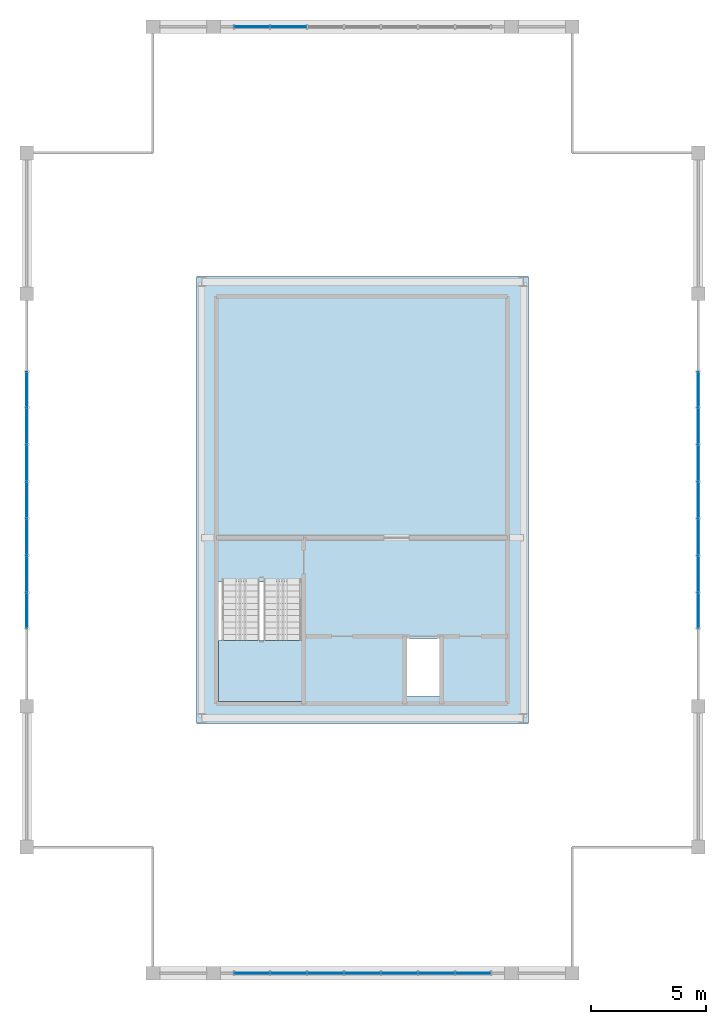
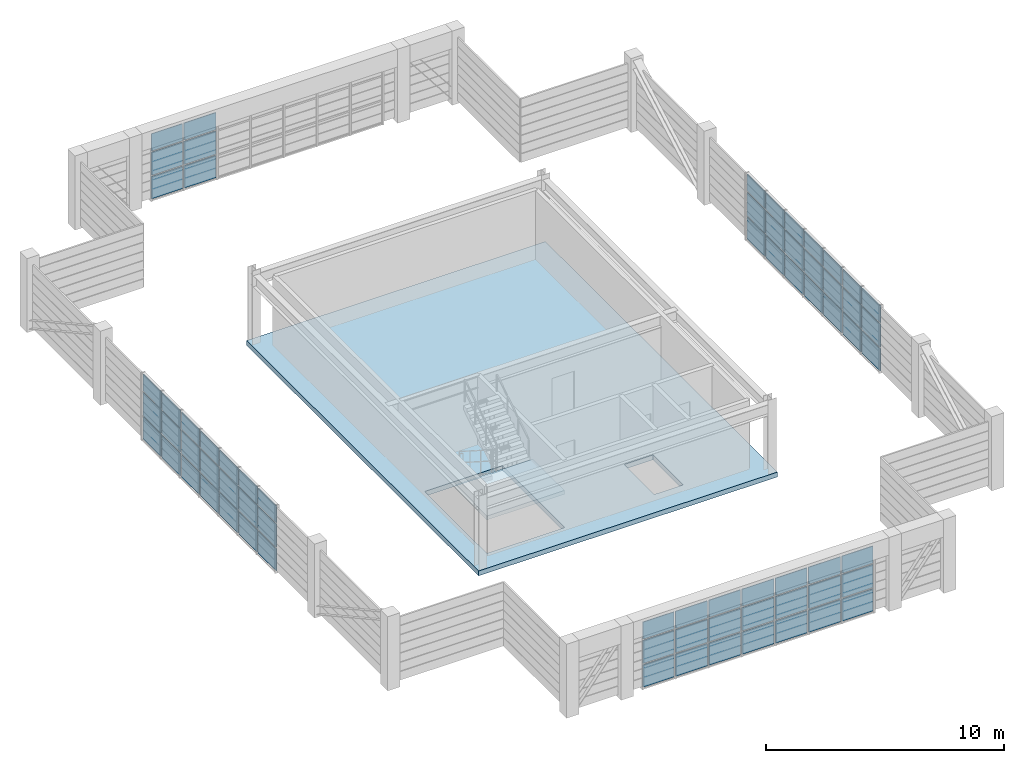
# One storey, part 16 of 21: 69 plates, 2 slabs, 5 elements without a shape of their own.
"""IFC4 building model written with IfcOpenShell, lengths in metres."""

from ifc_helpers import new_model, si_unit, direction, frame, origin, origin_2d, place, context, subcontext, project, spatial, polyline, rectangle, outline, extrude, source, transform, mapped, material, layer, layer_set, type_object, element, aggregate, save


model = new_model("IFC4")

# Units and contexts
model_context = context("Model", 3, precision=1e-05, world=origin(), true_north=direction((0.0, 1.0)))
body_context = subcontext(model_context, "Body", "Model", "MODEL_VIEW")
ifc_project = project(units=[si_unit("LENGTHUNIT", "METRE"), si_unit("AREAUNIT", "SQUARE_METRE"), si_unit("VOLUMEUNIT", "CUBIC_METRE"), si_unit("PLANEANGLEUNIT", "RADIAN"), si_unit("MASSUNIT", "GRAM", prefix="KILO")], contexts=[model_context])

# Site, building, storey
site_placement = place(None, origin())
site = spatial("IfcSite", under=ifc_project, at=site_placement, CompositionType="ELEMENT")
building_placement = place(site_placement, origin())
building = spatial("IfcBuilding", under=site, at=building_placement, Name="Saelheon Loggia Tower", CompositionType="ELEMENT")
storey_placement = place(building_placement, frame((0.0, 0.0, 259.800048828125)))
storey = spatial("IfcBuildingStorey", under=building, at=storey_placement, Name="CR3", CompositionType="ELEMENT", Elevation=259.800048828125)

# Slab
ifc_material_1 = material(Name="Concrete C45/55", Category="concrete")
ifc_layer_1 = layer(ifc_material_1, 0.25)
ifc_layer_set_1 = layer_set([ifc_layer_1], Name="Concrete C45/55")
slab_type_1 = type_object("IfcSlabType", Name="Slab_CrownDeck_250", PredefinedType="FLOOR", material=ifc_layer_set_1)
slab_1_placement = place(storey_placement, frame((0.0, 0.0, -0.25)))
element("IfcSlab", 1, at=slab_1_placement, inside=storey, type_object=slab_type_1, Name="CR3 Crown Mechanical Plant Platform", PredefinedType="FLOOR", context=body_context, shape_type="SweptSolid", body=[
    extrude(outline(polyline([(30.75, 17.25), (45.25, 17.25), (45.25, 36.75), (30.75, 36.75), (30.75, 17.25)]), holes=[polyline([(31.699951171875, 23.429931640625), (31.699951171875, 18.199951171875), (35.47998046875, 18.199951171875), (35.47998046875, 23.429931640625), (31.699951171875, 23.429931640625)]), polyline([(39.949951171875, 18.419921875), (41.35009765625, 18.419921875), (41.35009765625, 20.949951171875), (39.949951171875, 20.949951171875), (39.949951171875, 18.419921875)])]), origin(), (0.0, 0.0, 1.0), 0.25),
])

# Stair, slab
ifc_material_2 = material(Name="Concrete C40/50", Category="concrete")
stair_type = type_object("IfcStairType", Name="Stair_Plant_Crown", PredefinedType="HALF_TURN_STAIR", material=ifc_material_2)
stair_placement = place(storey_placement, origin())
stair = element("IfcStair", 2, at=stair_placement, inside=storey, type_object=stair_type, Name="CR3 Crown Plant Stair ST5", PredefinedType="HALF_TURN_STAIR")
ifc_layer_2 = layer(ifc_material_2, 0.199951171875)
ifc_layer_set_2 = layer_set([ifc_layer_2], Name="Concrete C40/50")
slab_type_2 = type_object("IfcSlabType", Name="Slab_StairLanding_ST5", PredefinedType="LANDING", material=ifc_layer_set_2)
slab_2_placement = place(storey_placement, frame((0.0, 0.0, 1.699951171875)))
slab_2 = element("IfcSlab", 3, at=slab_2_placement, type_object=slab_type_2, Name="ST5 landing 1", PredefinedType="LANDING", context=body_context, shape_type="SweptSolid", body=[
    extrude(outline(polyline([(31.7099609375, 20.8701171875), (31.7099609375, 18.2099609375), (35.469970703125, 18.2099609375), (35.469970703125, 20.8701171875), (31.7099609375, 20.8701171875)])), origin(), (0.0, 0.0, 1.0), 0.199951171875),
])
aggregate(stair, [slab_2])

# Curtain wall, plates
ifc_material_3 = material(Name="Bronze-Anodised Aluminium and Fritted Ceramic Screen", Category="aluminium")
ifc_layer_3 = layer(ifc_material_3, 0.219970703125)
ifc_layer_set_3 = layer_set([ifc_layer_3], Name="Bronze-Anodised Aluminium and Fritted Ceramic Screen")
curtain_wall_type = type_object("IfcCurtainWallType", Name="CW_CrownScreen", PredefinedType="NOTDEFINED", material=ifc_layer_set_3)
curtain_wall_1_placement = place(storey_placement, origin())
curtain_wall_1 = element("IfcCurtainWall", 4, at=curtain_wall_1_placement, inside=storey, type_object=curtain_wall_type, Name="CR3 Crown Central Screen Curtain Wall 0", PredefinedType="NOTDEFINED")
ifc_material_4 = material(Name="Bronze Ceramic Fritted Spandrel Panel", Category="aluminium")
ifc_layer_4 = layer(ifc_material_4, 0.0380859375)
ifc_layer_set_4 = layer_set([ifc_layer_4], Name="Bronze Ceramic Fritted Spandrel Panel")
plate_type = type_object("IfcPlateType", Name="CW_CrownScreen_Panel", PredefinedType="CURTAIN_PANEL", material=ifc_layer_set_4)
shared_shape_1 = source(origin(), body_context, "Body", "SweptSolid", [
    extrude(rectangle(XDim=1.50927734375, YDim=0.0380859375, at=origin_2d()), origin(), (0.0, 0.0, 1.0), 1.14501953125),
])
plate_1_placement = place(storey_placement, frame((33.174560546875, 6.35009765625, 0.06982421875), z_axis=(0.0, 0.0, 1.0), x_axis=(1.0, 0.0, 0.0)))
plate_1 = element("IfcPlate", 5, at=plate_1_placement, type_object=plate_type, Name="CW6 panel 1.1", PredefinedType="CURTAIN_PANEL", context=body_context, shape_type="MappedRepresentation", body=[
    mapped(shared_shape_1, transform((0.0, 0.0, 0.0), scale=1.0)),
])
plate_2_placement = place(storey_placement, frame((42.825439453125, 6.35009765625, 0.06982421875), z_axis=(0.0, 0.0, 1.0), x_axis=(1.0, 0.0, 0.0)))
plate_2 = element("IfcPlate", 6, at=plate_2_placement, type_object=plate_type, Name="CW6 panel 7.1", PredefinedType="CURTAIN_PANEL", context=body_context, shape_type="MappedRepresentation", body=[
    mapped(shared_shape_1, transform((0.0, 0.0, 0.0), scale=1.0)),
])

curtain_wall_2_placement = place(storey_placement, origin())
curtain_wall_2 = element("IfcCurtainWall", 7, at=curtain_wall_2_placement, inside=storey, type_object=curtain_wall_type, Name="CR3 Crown Central Screen Curtain Wall 3", PredefinedType="NOTDEFINED")
plate_3_placement = place(storey_placement, frame((52.64990234375, 22.174560546875, 0.06982421875), z_axis=(0.0, 0.0, 1.0), x_axis=(0.0, 1.0, 0.0)))
plate_3 = element("IfcPlate", 8, at=plate_3_placement, type_object=plate_type, Name="CW6 panel 1.1", PredefinedType="CURTAIN_PANEL", context=body_context, shape_type="MappedRepresentation", body=[
    mapped(shared_shape_1, transform((0.0, 0.0, 0.0), scale=1.0)),
])
plate_4_placement = place(storey_placement, frame((52.64990234375, 31.825439453125, 0.06982421875), z_axis=(0.0, 0.0, 1.0), x_axis=(0.0, 1.0, 0.0)))
plate_4 = element("IfcPlate", 9, at=plate_4_placement, type_object=plate_type, Name="CW6 panel 7.1", PredefinedType="CURTAIN_PANEL", context=body_context, shape_type="MappedRepresentation", body=[
    mapped(shared_shape_1, transform((0.0, 0.0, 0.0), scale=1.0)),
])

# Curtain wall, plate
curtain_wall_3_placement = place(storey_placement, origin())
curtain_wall_3 = element("IfcCurtainWall", 10, at=curtain_wall_3_placement, inside=storey, type_object=curtain_wall_type, Name="CR3 Crown Central Screen Curtain Wall 6", PredefinedType="NOTDEFINED")
plate_5_placement = place(storey_placement, frame((33.174560546875, 47.64990234375, 0.06982421875), z_axis=(0.0, 0.0, 1.0), x_axis=(1.0, 0.0, 0.0)))
plate_5 = element("IfcPlate", 11, at=plate_5_placement, type_object=plate_type, Name="CW6 panel 1.1", PredefinedType="CURTAIN_PANEL", context=body_context, shape_type="MappedRepresentation", body=[
    mapped(shared_shape_1, transform((0.0, 0.0, 0.0), scale=1.0)),
])

# Curtain wall, plates
curtain_wall_4_placement = place(storey_placement, origin())
curtain_wall_4 = element("IfcCurtainWall", 12, at=curtain_wall_4_placement, inside=storey, type_object=curtain_wall_type, Name="CR3 Crown Central Screen Curtain Wall 9", PredefinedType="NOTDEFINED")
plate_6_placement = place(storey_placement, frame((23.35009765625, 22.174560546875, 0.06982421875), z_axis=(0.0, 0.0, 1.0), x_axis=(0.0, 1.0, 0.0)))
plate_6 = element("IfcPlate", 13, at=plate_6_placement, type_object=plate_type, Name="CW6 panel 1.1", PredefinedType="CURTAIN_PANEL", context=body_context, shape_type="MappedRepresentation", body=[
    mapped(shared_shape_1, transform((0.0, 0.0, 0.0), scale=1.0)),
])
plate_7_placement = place(storey_placement, frame((23.35009765625, 31.825439453125, 0.06982421875), z_axis=(0.0, 0.0, 1.0), x_axis=(0.0, 1.0, 0.0)))
plate_7 = element("IfcPlate", 14, at=plate_7_placement, type_object=plate_type, Name="CW6 panel 7.1", PredefinedType="CURTAIN_PANEL", context=body_context, shape_type="MappedRepresentation", body=[
    mapped(shared_shape_1, transform((0.0, 0.0, 0.0), scale=1.0)),
])

# Plate
shared_shape_2 = source(origin(), body_context, "Body", "SweptSolid", [
    extrude(rectangle(XDim=1.50927734375, YDim=0.0380859375, at=origin_2d()), origin(), (0.0, 0.0, 1.0), 1.179931640625),
])
plate_8_placement = place(storey_placement, frame((33.174560546875, 6.35009765625, 1.28515625), z_axis=(0.0, 0.0, 1.0), x_axis=(1.0, 0.0, 0.0)))
plate_8 = element("IfcPlate", 15, at=plate_8_placement, type_object=plate_type, Name="CW6 panel 1.2", PredefinedType="CURTAIN_PANEL", context=body_context, shape_type="MappedRepresentation", body=[
    mapped(shared_shape_2, transform((0.0, 0.0, 0.0), scale=1.0)),
])

plate_9_placement = place(storey_placement, frame((42.825439453125, 6.35009765625, 1.28515625), z_axis=(0.0, 0.0, 1.0), x_axis=(1.0, 0.0, 0.0)))
plate_9 = element("IfcPlate", 16, at=plate_9_placement, type_object=plate_type, Name="CW6 panel 7.2", PredefinedType="CURTAIN_PANEL", context=body_context, shape_type="MappedRepresentation", body=[
    mapped(shared_shape_2, transform((0.0, 0.0, 0.0), scale=1.0)),
])

plate_10_placement = place(storey_placement, frame((52.64990234375, 22.174560546875, 1.28515625), z_axis=(0.0, 0.0, 1.0), x_axis=(0.0, 1.0, 0.0)))
plate_10 = element("IfcPlate", 17, at=plate_10_placement, type_object=plate_type, Name="CW6 panel 1.2", PredefinedType="CURTAIN_PANEL", context=body_context, shape_type="MappedRepresentation", body=[
    mapped(shared_shape_2, transform((0.0, 0.0, 0.0), scale=1.0)),
])

plate_11_placement = place(storey_placement, frame((52.64990234375, 31.825439453125, 1.28515625), z_axis=(0.0, 0.0, 1.0), x_axis=(0.0, 1.0, 0.0)))
plate_11 = element("IfcPlate", 18, at=plate_11_placement, type_object=plate_type, Name="CW6 panel 7.2", PredefinedType="CURTAIN_PANEL", context=body_context, shape_type="MappedRepresentation", body=[
    mapped(shared_shape_2, transform((0.0, 0.0, 0.0), scale=1.0)),
])

plate_12_placement = place(storey_placement, frame((33.174560546875, 47.64990234375, 1.28515625), z_axis=(0.0, 0.0, 1.0), x_axis=(1.0, 0.0, 0.0)))
plate_12 = element("IfcPlate", 19, at=plate_12_placement, type_object=plate_type, Name="CW6 panel 1.2", PredefinedType="CURTAIN_PANEL", context=body_context, shape_type="MappedRepresentation", body=[
    mapped(shared_shape_2, transform((0.0, 0.0, 0.0), scale=1.0)),
])

plate_13_placement = place(storey_placement, frame((23.35009765625, 22.174560546875, 1.28515625), z_axis=(0.0, 0.0, 1.0), x_axis=(0.0, 1.0, 0.0)))
plate_13 = element("IfcPlate", 20, at=plate_13_placement, type_object=plate_type, Name="CW6 panel 1.2", PredefinedType="CURTAIN_PANEL", context=body_context, shape_type="MappedRepresentation", body=[
    mapped(shared_shape_2, transform((0.0, 0.0, 0.0), scale=1.0)),
])

plate_14_placement = place(storey_placement, frame((23.35009765625, 31.825439453125, 1.28515625), z_axis=(0.0, 0.0, 1.0), x_axis=(0.0, 1.0, 0.0)))
plate_14 = element("IfcPlate", 21, at=plate_14_placement, type_object=plate_type, Name="CW6 panel 7.2", PredefinedType="CURTAIN_PANEL", context=body_context, shape_type="MappedRepresentation", body=[
    mapped(shared_shape_2, transform((0.0, 0.0, 0.0), scale=1.0)),
])

shared_shape_3 = source(origin(), body_context, "Body", "SweptSolid", [
    extrude(rectangle(XDim=1.50927734375, YDim=0.0380859375, at=origin_2d()), origin(), (0.0, 0.0, 1.0), 0.875),
])
plate_15_placement = place(storey_placement, frame((33.174560546875, 6.35009765625, 2.534912109375), z_axis=(0.0, 0.0, 1.0), x_axis=(1.0, 0.0, 0.0)))
plate_15 = element("IfcPlate", 22, at=plate_15_placement, type_object=plate_type, Name="CW6 panel 1.3", PredefinedType="CURTAIN_PANEL", context=body_context, shape_type="MappedRepresentation", body=[
    mapped(shared_shape_3, transform((0.0, 0.0, 0.0), scale=1.0)),
])

plate_16_placement = place(storey_placement, frame((42.825439453125, 6.35009765625, 2.534912109375), z_axis=(0.0, 0.0, 1.0), x_axis=(1.0, 0.0, 0.0)))
plate_16 = element("IfcPlate", 23, at=plate_16_placement, type_object=plate_type, Name="CW6 panel 7.3", PredefinedType="CURTAIN_PANEL", context=body_context, shape_type="MappedRepresentation", body=[
    mapped(shared_shape_3, transform((0.0, 0.0, 0.0), scale=1.0)),
])

plate_17_placement = place(storey_placement, frame((52.64990234375, 22.174560546875, 2.534912109375), z_axis=(0.0, 0.0, 1.0), x_axis=(0.0, 1.0, 0.0)))
plate_17 = element("IfcPlate", 24, at=plate_17_placement, type_object=plate_type, Name="CW6 panel 1.3", PredefinedType="CURTAIN_PANEL", context=body_context, shape_type="MappedRepresentation", body=[
    mapped(shared_shape_3, transform((0.0, 0.0, 0.0), scale=1.0)),
])

plate_18_placement = place(storey_placement, frame((52.64990234375, 31.825439453125, 2.534912109375), z_axis=(0.0, 0.0, 1.0), x_axis=(0.0, 1.0, 0.0)))
plate_18 = element("IfcPlate", 25, at=plate_18_placement, type_object=plate_type, Name="CW6 panel 7.3", PredefinedType="CURTAIN_PANEL", context=body_context, shape_type="MappedRepresentation", body=[
    mapped(shared_shape_3, transform((0.0, 0.0, 0.0), scale=1.0)),
])

plate_19_placement = place(storey_placement, frame((33.174560546875, 47.64990234375, 2.534912109375), z_axis=(0.0, 0.0, 1.0), x_axis=(1.0, 0.0, 0.0)))
plate_19 = element("IfcPlate", 26, at=plate_19_placement, type_object=plate_type, Name="CW6 panel 1.3", PredefinedType="CURTAIN_PANEL", context=body_context, shape_type="MappedRepresentation", body=[
    mapped(shared_shape_3, transform((0.0, 0.0, 0.0), scale=1.0)),
])

plate_20_placement = place(storey_placement, frame((23.35009765625, 22.174560546875, 2.534912109375), z_axis=(0.0, 0.0, 1.0), x_axis=(0.0, 1.0, 0.0)))
plate_20 = element("IfcPlate", 27, at=plate_20_placement, type_object=plate_type, Name="CW6 panel 1.3", PredefinedType="CURTAIN_PANEL", context=body_context, shape_type="MappedRepresentation", body=[
    mapped(shared_shape_3, transform((0.0, 0.0, 0.0), scale=1.0)),
])

plate_21_placement = place(storey_placement, frame((23.35009765625, 31.825439453125, 2.534912109375), z_axis=(0.0, 0.0, 1.0), x_axis=(0.0, 1.0, 0.0)))
plate_21 = element("IfcPlate", 28, at=plate_21_placement, type_object=plate_type, Name="CW6 panel 7.3", PredefinedType="CURTAIN_PANEL", context=body_context, shape_type="MappedRepresentation", body=[
    mapped(shared_shape_3, transform((0.0, 0.0, 0.0), scale=1.0)),
])

shared_shape_4 = source(origin(), body_context, "Body", "SweptSolid", [
    extrude(rectangle(XDim=1.544189453125, YDim=0.0380859375, at=origin_2d()), origin(), (0.0, 0.0, 1.0), 1.14501953125),
])
plate_22_placement = place(storey_placement, frame((34.771484375, 6.35009765625, 0.06982421875), z_axis=(0.0, 0.0, 1.0), x_axis=(1.0, 0.0, 0.0)))
plate_22 = element("IfcPlate", 29, at=plate_22_placement, type_object=plate_type, Name="CW6 panel 2.1", PredefinedType="CURTAIN_PANEL", context=body_context, shape_type="MappedRepresentation", body=[
    mapped(shared_shape_4, transform((0.0, 0.0, 0.0), scale=1.0)),
])

plate_23_placement = place(storey_placement, frame((36.3857421875, 6.35009765625, 0.06982421875), z_axis=(0.0, 0.0, 1.0), x_axis=(1.0, 0.0, 0.0)))
plate_23 = element("IfcPlate", 30, at=plate_23_placement, type_object=plate_type, Name="CW6 panel 3.1", PredefinedType="CURTAIN_PANEL", context=body_context, shape_type="MappedRepresentation", body=[
    mapped(shared_shape_4, transform((0.0, 0.0, 0.0), scale=1.0)),
])

plate_24_placement = place(storey_placement, frame((38.0, 6.35009765625, 0.06982421875), z_axis=(0.0, 0.0, 1.0), x_axis=(1.0, 0.0, 0.0)))
plate_24 = element("IfcPlate", 31, at=plate_24_placement, type_object=plate_type, Name="CW6 panel 4.1", PredefinedType="CURTAIN_PANEL", context=body_context, shape_type="MappedRepresentation", body=[
    mapped(shared_shape_4, transform((0.0, 0.0, 0.0), scale=1.0)),
])

plate_25_placement = place(storey_placement, frame((39.6142578125, 6.35009765625, 0.06982421875), z_axis=(0.0, 0.0, 1.0), x_axis=(1.0, 0.0, 0.0)))
plate_25 = element("IfcPlate", 32, at=plate_25_placement, type_object=plate_type, Name="CW6 panel 5.1", PredefinedType="CURTAIN_PANEL", context=body_context, shape_type="MappedRepresentation", body=[
    mapped(shared_shape_4, transform((0.0, 0.0, 0.0), scale=1.0)),
])

plate_26_placement = place(storey_placement, frame((41.228515625, 6.35009765625, 0.06982421875), z_axis=(0.0, 0.0, 1.0), x_axis=(1.0, 0.0, 0.0)))
plate_26 = element("IfcPlate", 33, at=plate_26_placement, type_object=plate_type, Name="CW6 panel 6.1", PredefinedType="CURTAIN_PANEL", context=body_context, shape_type="MappedRepresentation", body=[
    mapped(shared_shape_4, transform((0.0, 0.0, 0.0), scale=1.0)),
])

plate_27_placement = place(storey_placement, frame((52.64990234375, 23.771484375, 0.06982421875), z_axis=(0.0, 0.0, 1.0), x_axis=(0.0, 1.0, 0.0)))
plate_27 = element("IfcPlate", 34, at=plate_27_placement, type_object=plate_type, Name="CW6 panel 2.1", PredefinedType="CURTAIN_PANEL", context=body_context, shape_type="MappedRepresentation", body=[
    mapped(shared_shape_4, transform((0.0, 0.0, 0.0), scale=1.0)),
])

plate_28_placement = place(storey_placement, frame((52.64990234375, 25.3857421875, 0.06982421875), z_axis=(0.0, 0.0, 1.0), x_axis=(0.0, 1.0, 0.0)))
plate_28 = element("IfcPlate", 35, at=plate_28_placement, type_object=plate_type, Name="CW6 panel 3.1", PredefinedType="CURTAIN_PANEL", context=body_context, shape_type="MappedRepresentation", body=[
    mapped(shared_shape_4, transform((0.0, 0.0, 0.0), scale=1.0)),
])

plate_29_placement = place(storey_placement, frame((52.64990234375, 27.0, 0.06982421875), z_axis=(0.0, 0.0, 1.0), x_axis=(0.0, 1.0, 0.0)))
plate_29 = element("IfcPlate", 36, at=plate_29_placement, type_object=plate_type, Name="CW6 panel 4.1", PredefinedType="CURTAIN_PANEL", context=body_context, shape_type="MappedRepresentation", body=[
    mapped(shared_shape_4, transform((0.0, 0.0, 0.0), scale=1.0)),
])

plate_30_placement = place(storey_placement, frame((52.64990234375, 28.6142578125, 0.06982421875), z_axis=(0.0, 0.0, 1.0), x_axis=(0.0, 1.0, 0.0)))
plate_30 = element("IfcPlate", 37, at=plate_30_placement, type_object=plate_type, Name="CW6 panel 5.1", PredefinedType="CURTAIN_PANEL", context=body_context, shape_type="MappedRepresentation", body=[
    mapped(shared_shape_4, transform((0.0, 0.0, 0.0), scale=1.0)),
])

plate_31_placement = place(storey_placement, frame((52.64990234375, 30.228515625, 0.06982421875), z_axis=(0.0, 0.0, 1.0), x_axis=(0.0, 1.0, 0.0)))
plate_31 = element("IfcPlate", 38, at=plate_31_placement, type_object=plate_type, Name="CW6 panel 6.1", PredefinedType="CURTAIN_PANEL", context=body_context, shape_type="MappedRepresentation", body=[
    mapped(shared_shape_4, transform((0.0, 0.0, 0.0), scale=1.0)),
])

plate_32_placement = place(storey_placement, frame((34.771484375, 47.64990234375, 0.06982421875), z_axis=(0.0, 0.0, 1.0), x_axis=(1.0, 0.0, 0.0)))
plate_32 = element("IfcPlate", 39, at=plate_32_placement, type_object=plate_type, Name="CW6 panel 2.1", PredefinedType="CURTAIN_PANEL", context=body_context, shape_type="MappedRepresentation", body=[
    mapped(shared_shape_4, transform((0.0, 0.0, 0.0), scale=1.0)),
])

plate_33_placement = place(storey_placement, frame((23.35009765625, 23.771484375, 0.06982421875), z_axis=(0.0, 0.0, 1.0), x_axis=(0.0, 1.0, 0.0)))
plate_33 = element("IfcPlate", 40, at=plate_33_placement, type_object=plate_type, Name="CW6 panel 2.1", PredefinedType="CURTAIN_PANEL", context=body_context, shape_type="MappedRepresentation", body=[
    mapped(shared_shape_4, transform((0.0, 0.0, 0.0), scale=1.0)),
])

plate_34_placement = place(storey_placement, frame((23.35009765625, 25.3857421875, 0.06982421875), z_axis=(0.0, 0.0, 1.0), x_axis=(0.0, 1.0, 0.0)))
plate_34 = element("IfcPlate", 41, at=plate_34_placement, type_object=plate_type, Name="CW6 panel 3.1", PredefinedType="CURTAIN_PANEL", context=body_context, shape_type="MappedRepresentation", body=[
    mapped(shared_shape_4, transform((0.0, 0.0, 0.0), scale=1.0)),
])

plate_35_placement = place(storey_placement, frame((23.35009765625, 27.0, 0.06982421875), z_axis=(0.0, 0.0, 1.0), x_axis=(0.0, 1.0, 0.0)))
plate_35 = element("IfcPlate", 42, at=plate_35_placement, type_object=plate_type, Name="CW6 panel 4.1", PredefinedType="CURTAIN_PANEL", context=body_context, shape_type="MappedRepresentation", body=[
    mapped(shared_shape_4, transform((0.0, 0.0, 0.0), scale=1.0)),
])

plate_36_placement = place(storey_placement, frame((23.35009765625, 28.6142578125, 0.06982421875), z_axis=(0.0, 0.0, 1.0), x_axis=(0.0, 1.0, 0.0)))
plate_36 = element("IfcPlate", 43, at=plate_36_placement, type_object=plate_type, Name="CW6 panel 5.1", PredefinedType="CURTAIN_PANEL", context=body_context, shape_type="MappedRepresentation", body=[
    mapped(shared_shape_4, transform((0.0, 0.0, 0.0), scale=1.0)),
])

plate_37_placement = place(storey_placement, frame((23.35009765625, 30.228515625, 0.06982421875), z_axis=(0.0, 0.0, 1.0), x_axis=(0.0, 1.0, 0.0)))
plate_37 = element("IfcPlate", 44, at=plate_37_placement, type_object=plate_type, Name="CW6 panel 6.1", PredefinedType="CURTAIN_PANEL", context=body_context, shape_type="MappedRepresentation", body=[
    mapped(shared_shape_4, transform((0.0, 0.0, 0.0), scale=1.0)),
])

shared_shape_5 = source(origin(), body_context, "Body", "SweptSolid", [
    extrude(rectangle(XDim=1.544189453125, YDim=0.0380859375, at=origin_2d()), origin(), (0.0, 0.0, 1.0), 1.179931640625),
])
plate_38_placement = place(storey_placement, frame((34.771484375, 6.35009765625, 1.28515625), z_axis=(0.0, 0.0, 1.0), x_axis=(1.0, 0.0, 0.0)))
plate_38 = element("IfcPlate", 45, at=plate_38_placement, type_object=plate_type, Name="CW6 panel 2.2", PredefinedType="CURTAIN_PANEL", context=body_context, shape_type="MappedRepresentation", body=[
    mapped(shared_shape_5, transform((0.0, 0.0, 0.0), scale=1.0)),
])

plate_39_placement = place(storey_placement, frame((36.3857421875, 6.35009765625, 1.28515625), z_axis=(0.0, 0.0, 1.0), x_axis=(1.0, 0.0, 0.0)))
plate_39 = element("IfcPlate", 46, at=plate_39_placement, type_object=plate_type, Name="CW6 panel 3.2", PredefinedType="CURTAIN_PANEL", context=body_context, shape_type="MappedRepresentation", body=[
    mapped(shared_shape_5, transform((0.0, 0.0, 0.0), scale=1.0)),
])

plate_40_placement = place(storey_placement, frame((38.0, 6.35009765625, 1.28515625), z_axis=(0.0, 0.0, 1.0), x_axis=(1.0, 0.0, 0.0)))
plate_40 = element("IfcPlate", 47, at=plate_40_placement, type_object=plate_type, Name="CW6 panel 4.2", PredefinedType="CURTAIN_PANEL", context=body_context, shape_type="MappedRepresentation", body=[
    mapped(shared_shape_5, transform((0.0, 0.0, 0.0), scale=1.0)),
])

plate_41_placement = place(storey_placement, frame((39.6142578125, 6.35009765625, 1.28515625), z_axis=(0.0, 0.0, 1.0), x_axis=(1.0, 0.0, 0.0)))
plate_41 = element("IfcPlate", 48, at=plate_41_placement, type_object=plate_type, Name="CW6 panel 5.2", PredefinedType="CURTAIN_PANEL", context=body_context, shape_type="MappedRepresentation", body=[
    mapped(shared_shape_5, transform((0.0, 0.0, 0.0), scale=1.0)),
])

plate_42_placement = place(storey_placement, frame((41.228515625, 6.35009765625, 1.28515625), z_axis=(0.0, 0.0, 1.0), x_axis=(1.0, 0.0, 0.0)))
plate_42 = element("IfcPlate", 49, at=plate_42_placement, type_object=plate_type, Name="CW6 panel 6.2", PredefinedType="CURTAIN_PANEL", context=body_context, shape_type="MappedRepresentation", body=[
    mapped(shared_shape_5, transform((0.0, 0.0, 0.0), scale=1.0)),
])

plate_43_placement = place(storey_placement, frame((52.64990234375, 23.771484375, 1.28515625), z_axis=(0.0, 0.0, 1.0), x_axis=(0.0, 1.0, 0.0)))
plate_43 = element("IfcPlate", 50, at=plate_43_placement, type_object=plate_type, Name="CW6 panel 2.2", PredefinedType="CURTAIN_PANEL", context=body_context, shape_type="MappedRepresentation", body=[
    mapped(shared_shape_5, transform((0.0, 0.0, 0.0), scale=1.0)),
])

plate_44_placement = place(storey_placement, frame((52.64990234375, 25.3857421875, 1.28515625), z_axis=(0.0, 0.0, 1.0), x_axis=(0.0, 1.0, 0.0)))
plate_44 = element("IfcPlate", 51, at=plate_44_placement, type_object=plate_type, Name="CW6 panel 3.2", PredefinedType="CURTAIN_PANEL", context=body_context, shape_type="MappedRepresentation", body=[
    mapped(shared_shape_5, transform((0.0, 0.0, 0.0), scale=1.0)),
])

plate_45_placement = place(storey_placement, frame((52.64990234375, 27.0, 1.28515625), z_axis=(0.0, 0.0, 1.0), x_axis=(0.0, 1.0, 0.0)))
plate_45 = element("IfcPlate", 52, at=plate_45_placement, type_object=plate_type, Name="CW6 panel 4.2", PredefinedType="CURTAIN_PANEL", context=body_context, shape_type="MappedRepresentation", body=[
    mapped(shared_shape_5, transform((0.0, 0.0, 0.0), scale=1.0)),
])

plate_46_placement = place(storey_placement, frame((52.64990234375, 28.6142578125, 1.28515625), z_axis=(0.0, 0.0, 1.0), x_axis=(0.0, 1.0, 0.0)))
plate_46 = element("IfcPlate", 53, at=plate_46_placement, type_object=plate_type, Name="CW6 panel 5.2", PredefinedType="CURTAIN_PANEL", context=body_context, shape_type="MappedRepresentation", body=[
    mapped(shared_shape_5, transform((0.0, 0.0, 0.0), scale=1.0)),
])

plate_47_placement = place(storey_placement, frame((52.64990234375, 30.228515625, 1.28515625), z_axis=(0.0, 0.0, 1.0), x_axis=(0.0, 1.0, 0.0)))
plate_47 = element("IfcPlate", 54, at=plate_47_placement, type_object=plate_type, Name="CW6 panel 6.2", PredefinedType="CURTAIN_PANEL", context=body_context, shape_type="MappedRepresentation", body=[
    mapped(shared_shape_5, transform((0.0, 0.0, 0.0), scale=1.0)),
])

plate_48_placement = place(storey_placement, frame((34.771484375, 47.64990234375, 1.28515625), z_axis=(0.0, 0.0, 1.0), x_axis=(1.0, 0.0, 0.0)))
plate_48 = element("IfcPlate", 55, at=plate_48_placement, type_object=plate_type, Name="CW6 panel 2.2", PredefinedType="CURTAIN_PANEL", context=body_context, shape_type="MappedRepresentation", body=[
    mapped(shared_shape_5, transform((0.0, 0.0, 0.0), scale=1.0)),
])

plate_49_placement = place(storey_placement, frame((23.35009765625, 23.771484375, 1.28515625), z_axis=(0.0, 0.0, 1.0), x_axis=(0.0, 1.0, 0.0)))
plate_49 = element("IfcPlate", 56, at=plate_49_placement, type_object=plate_type, Name="CW6 panel 2.2", PredefinedType="CURTAIN_PANEL", context=body_context, shape_type="MappedRepresentation", body=[
    mapped(shared_shape_5, transform((0.0, 0.0, 0.0), scale=1.0)),
])

plate_50_placement = place(storey_placement, frame((23.35009765625, 25.3857421875, 1.28515625), z_axis=(0.0, 0.0, 1.0), x_axis=(0.0, 1.0, 0.0)))
plate_50 = element("IfcPlate", 57, at=plate_50_placement, type_object=plate_type, Name="CW6 panel 3.2", PredefinedType="CURTAIN_PANEL", context=body_context, shape_type="MappedRepresentation", body=[
    mapped(shared_shape_5, transform((0.0, 0.0, 0.0), scale=1.0)),
])

plate_51_placement = place(storey_placement, frame((23.35009765625, 27.0, 1.28515625), z_axis=(0.0, 0.0, 1.0), x_axis=(0.0, 1.0, 0.0)))
plate_51 = element("IfcPlate", 58, at=plate_51_placement, type_object=plate_type, Name="CW6 panel 4.2", PredefinedType="CURTAIN_PANEL", context=body_context, shape_type="MappedRepresentation", body=[
    mapped(shared_shape_5, transform((0.0, 0.0, 0.0), scale=1.0)),
])

plate_52_placement = place(storey_placement, frame((23.35009765625, 28.6142578125, 1.28515625), z_axis=(0.0, 0.0, 1.0), x_axis=(0.0, 1.0, 0.0)))
plate_52 = element("IfcPlate", 59, at=plate_52_placement, type_object=plate_type, Name="CW6 panel 5.2", PredefinedType="CURTAIN_PANEL", context=body_context, shape_type="MappedRepresentation", body=[
    mapped(shared_shape_5, transform((0.0, 0.0, 0.0), scale=1.0)),
])

plate_53_placement = place(storey_placement, frame((23.35009765625, 30.228515625, 1.28515625), z_axis=(0.0, 0.0, 1.0), x_axis=(0.0, 1.0, 0.0)))
plate_53 = element("IfcPlate", 60, at=plate_53_placement, type_object=plate_type, Name="CW6 panel 6.2", PredefinedType="CURTAIN_PANEL", context=body_context, shape_type="MappedRepresentation", body=[
    mapped(shared_shape_5, transform((0.0, 0.0, 0.0), scale=1.0)),
])

shared_shape_6 = source(origin(), body_context, "Body", "SweptSolid", [
    extrude(rectangle(XDim=1.544189453125, YDim=0.0380859375, at=origin_2d()), origin(), (0.0, 0.0, 1.0), 0.875),
])
plate_54_placement = place(storey_placement, frame((34.771484375, 6.35009765625, 2.534912109375), z_axis=(0.0, 0.0, 1.0), x_axis=(1.0, 0.0, 0.0)))
plate_54 = element("IfcPlate", 61, at=plate_54_placement, type_object=plate_type, Name="CW6 panel 2.3", PredefinedType="CURTAIN_PANEL", context=body_context, shape_type="MappedRepresentation", body=[
    mapped(shared_shape_6, transform((0.0, 0.0, 0.0), scale=1.0)),
])

plate_55_placement = place(storey_placement, frame((36.3857421875, 6.35009765625, 2.534912109375), z_axis=(0.0, 0.0, 1.0), x_axis=(1.0, 0.0, 0.0)))
plate_55 = element("IfcPlate", 62, at=plate_55_placement, type_object=plate_type, Name="CW6 panel 3.3", PredefinedType="CURTAIN_PANEL", context=body_context, shape_type="MappedRepresentation", body=[
    mapped(shared_shape_6, transform((0.0, 0.0, 0.0), scale=1.0)),
])

plate_56_placement = place(storey_placement, frame((38.0, 6.35009765625, 2.534912109375), z_axis=(0.0, 0.0, 1.0), x_axis=(1.0, 0.0, 0.0)))
plate_56 = element("IfcPlate", 63, at=plate_56_placement, type_object=plate_type, Name="CW6 panel 4.3", PredefinedType="CURTAIN_PANEL", context=body_context, shape_type="MappedRepresentation", body=[
    mapped(shared_shape_6, transform((0.0, 0.0, 0.0), scale=1.0)),
])

plate_57_placement = place(storey_placement, frame((39.6142578125, 6.35009765625, 2.534912109375), z_axis=(0.0, 0.0, 1.0), x_axis=(1.0, 0.0, 0.0)))
plate_57 = element("IfcPlate", 64, at=plate_57_placement, type_object=plate_type, Name="CW6 panel 5.3", PredefinedType="CURTAIN_PANEL", context=body_context, shape_type="MappedRepresentation", body=[
    mapped(shared_shape_6, transform((0.0, 0.0, 0.0), scale=1.0)),
])

plate_58_placement = place(storey_placement, frame((41.228515625, 6.35009765625, 2.534912109375), z_axis=(0.0, 0.0, 1.0), x_axis=(1.0, 0.0, 0.0)))
plate_58 = element("IfcPlate", 65, at=plate_58_placement, type_object=plate_type, Name="CW6 panel 6.3", PredefinedType="CURTAIN_PANEL", context=body_context, shape_type="MappedRepresentation", body=[
    mapped(shared_shape_6, transform((0.0, 0.0, 0.0), scale=1.0)),
])

aggregate(curtain_wall_1, [plate_1, plate_8, plate_15, plate_22, plate_38, plate_54, plate_23, plate_39, plate_55, plate_24, plate_40, plate_56, plate_25, plate_41, plate_57, plate_26, plate_42, plate_58, plate_2, plate_9, plate_16])

plate_59_placement = place(storey_placement, frame((52.64990234375, 23.771484375, 2.534912109375), z_axis=(0.0, 0.0, 1.0), x_axis=(0.0, 1.0, 0.0)))
plate_59 = element("IfcPlate", 66, at=plate_59_placement, type_object=plate_type, Name="CW6 panel 2.3", PredefinedType="CURTAIN_PANEL", context=body_context, shape_type="MappedRepresentation", body=[
    mapped(shared_shape_6, transform((0.0, 0.0, 0.0), scale=1.0)),
])

plate_60_placement = place(storey_placement, frame((52.64990234375, 25.3857421875, 2.534912109375), z_axis=(0.0, 0.0, 1.0), x_axis=(0.0, 1.0, 0.0)))
plate_60 = element("IfcPlate", 67, at=plate_60_placement, type_object=plate_type, Name="CW6 panel 3.3", PredefinedType="CURTAIN_PANEL", context=body_context, shape_type="MappedRepresentation", body=[
    mapped(shared_shape_6, transform((0.0, 0.0, 0.0), scale=1.0)),
])

plate_61_placement = place(storey_placement, frame((52.64990234375, 27.0, 2.534912109375), z_axis=(0.0, 0.0, 1.0), x_axis=(0.0, 1.0, 0.0)))
plate_61 = element("IfcPlate", 68, at=plate_61_placement, type_object=plate_type, Name="CW6 panel 4.3", PredefinedType="CURTAIN_PANEL", context=body_context, shape_type="MappedRepresentation", body=[
    mapped(shared_shape_6, transform((0.0, 0.0, 0.0), scale=1.0)),
])

plate_62_placement = place(storey_placement, frame((52.64990234375, 28.6142578125, 2.534912109375), z_axis=(0.0, 0.0, 1.0), x_axis=(0.0, 1.0, 0.0)))
plate_62 = element("IfcPlate", 69, at=plate_62_placement, type_object=plate_type, Name="CW6 panel 5.3", PredefinedType="CURTAIN_PANEL", context=body_context, shape_type="MappedRepresentation", body=[
    mapped(shared_shape_6, transform((0.0, 0.0, 0.0), scale=1.0)),
])

plate_63_placement = place(storey_placement, frame((52.64990234375, 30.228515625, 2.534912109375), z_axis=(0.0, 0.0, 1.0), x_axis=(0.0, 1.0, 0.0)))
plate_63 = element("IfcPlate", 70, at=plate_63_placement, type_object=plate_type, Name="CW6 panel 6.3", PredefinedType="CURTAIN_PANEL", context=body_context, shape_type="MappedRepresentation", body=[
    mapped(shared_shape_6, transform((0.0, 0.0, 0.0), scale=1.0)),
])

aggregate(curtain_wall_2, [plate_3, plate_10, plate_17, plate_27, plate_43, plate_59, plate_28, plate_44, plate_60, plate_29, plate_45, plate_61, plate_30, plate_46, plate_62, plate_31, plate_47, plate_63, plate_4, plate_11, plate_18])

plate_64_placement = place(storey_placement, frame((34.771484375, 47.64990234375, 2.534912109375), z_axis=(0.0, 0.0, 1.0), x_axis=(1.0, 0.0, 0.0)))
plate_64 = element("IfcPlate", 71, at=plate_64_placement, type_object=plate_type, Name="CW6 panel 2.3", PredefinedType="CURTAIN_PANEL", context=body_context, shape_type="MappedRepresentation", body=[
    mapped(shared_shape_6, transform((0.0, 0.0, 0.0), scale=1.0)),
])

aggregate(curtain_wall_3, [plate_5, plate_12, plate_19, plate_32, plate_48, plate_64])

plate_65_placement = place(storey_placement, frame((23.35009765625, 23.771484375, 2.534912109375), z_axis=(0.0, 0.0, 1.0), x_axis=(0.0, 1.0, 0.0)))
plate_65 = element("IfcPlate", 72, at=plate_65_placement, type_object=plate_type, Name="CW6 panel 2.3", PredefinedType="CURTAIN_PANEL", context=body_context, shape_type="MappedRepresentation", body=[
    mapped(shared_shape_6, transform((0.0, 0.0, 0.0), scale=1.0)),
])

plate_66_placement = place(storey_placement, frame((23.35009765625, 25.3857421875, 2.534912109375), z_axis=(0.0, 0.0, 1.0), x_axis=(0.0, 1.0, 0.0)))
plate_66 = element("IfcPlate", 73, at=plate_66_placement, type_object=plate_type, Name="CW6 panel 3.3", PredefinedType="CURTAIN_PANEL", context=body_context, shape_type="MappedRepresentation", body=[
    mapped(shared_shape_6, transform((0.0, 0.0, 0.0), scale=1.0)),
])

plate_67_placement = place(storey_placement, frame((23.35009765625, 27.0, 2.534912109375), z_axis=(0.0, 0.0, 1.0), x_axis=(0.0, 1.0, 0.0)))
plate_67 = element("IfcPlate", 74, at=plate_67_placement, type_object=plate_type, Name="CW6 panel 4.3", PredefinedType="CURTAIN_PANEL", context=body_context, shape_type="MappedRepresentation", body=[
    mapped(shared_shape_6, transform((0.0, 0.0, 0.0), scale=1.0)),
])

plate_68_placement = place(storey_placement, frame((23.35009765625, 28.6142578125, 2.534912109375), z_axis=(0.0, 0.0, 1.0), x_axis=(0.0, 1.0, 0.0)))
plate_68 = element("IfcPlate", 75, at=plate_68_placement, type_object=plate_type, Name="CW6 panel 5.3", PredefinedType="CURTAIN_PANEL", context=body_context, shape_type="MappedRepresentation", body=[
    mapped(shared_shape_6, transform((0.0, 0.0, 0.0), scale=1.0)),
])

plate_69_placement = place(storey_placement, frame((23.35009765625, 30.228515625, 2.534912109375), z_axis=(0.0, 0.0, 1.0), x_axis=(0.0, 1.0, 0.0)))
plate_69 = element("IfcPlate", 76, at=plate_69_placement, type_object=plate_type, Name="CW6 panel 6.3", PredefinedType="CURTAIN_PANEL", context=body_context, shape_type="MappedRepresentation", body=[
    mapped(shared_shape_6, transform((0.0, 0.0, 0.0), scale=1.0)),
])

aggregate(curtain_wall_4, [plate_6, plate_13, plate_20, plate_33, plate_49, plate_65, plate_34, plate_50, plate_66, plate_35, plate_51, plate_67, plate_36, plate_52, plate_68, plate_37, plate_53, plate_69, plate_7, plate_14, plate_21])

save(model, "model.ifc")
